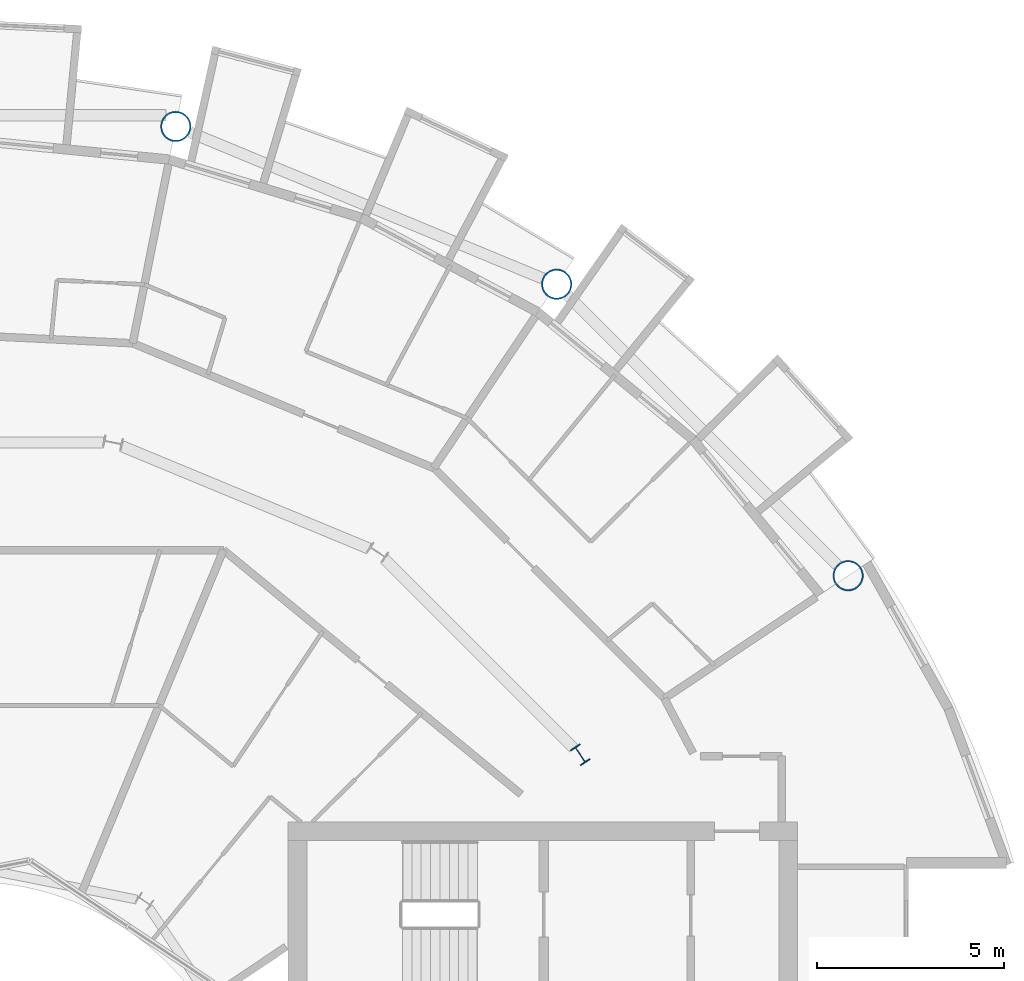
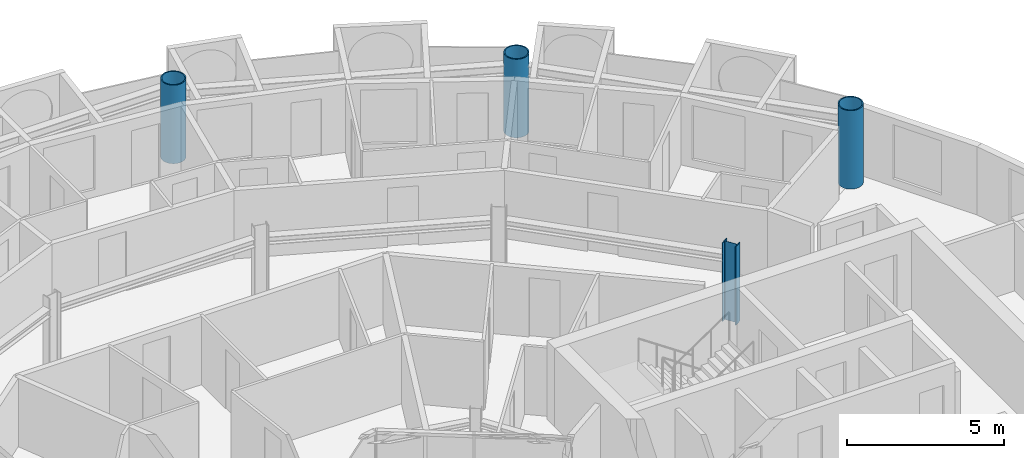
# One storey, part 4 of 26: 4 columns.
"""IFC4 building model written with IfcOpenShell, lengths in metres."""

from ifc_helpers import new_model, si_unit, direction, frame, origin, origin_2d, place, context, subcontext, project, spatial, hollow_circle, i_section, extrude, material, material_profile, profile_set, type_object, element, save


model = new_model("IFC4")

# Units and contexts
model_context = context("Model", 3, precision=1e-05, world=origin(), true_north=direction((0.0, 1.0)))
body_context = subcontext(model_context, "Body", "Model", "MODEL_VIEW")
ifc_project = project(units=[si_unit("LENGTHUNIT", "METRE"), si_unit("AREAUNIT", "SQUARE_METRE"), si_unit("VOLUMEUNIT", "CUBIC_METRE"), si_unit("PLANEANGLEUNIT", "RADIAN"), si_unit("MASSUNIT", "GRAM", prefix="KILO")], contexts=[model_context])

# Site, building, storey
site_placement = place(None, origin())
site = spatial("IfcSite", under=ifc_project, at=site_placement, CompositionType="ELEMENT")
building_placement = place(site_placement, origin())
building = spatial("IfcBuilding", under=site, at=building_placement, Name="Maasbend Ring Residences", CompositionType="ELEMENT")
storey_placement = place(building_placement, frame((0.0, 0.0, 176.85009765625)))
storey = spatial("IfcBuildingStorey", under=building, at=storey_placement, Name="L51", CompositionType="ELEMENT", Elevation=176.85009765625)

# Columns
ifc_material_1 = material(Name="Composite concrete-filled steel tube S460NH / C80/95", Category="concrete")
ifc_material_profile_1 = material_profile(ifc_material_1, hollow_circle(Radius=0.406494140625, WallThickness=0.0400390625, at=origin_2d()), Name="Composite tube column CHS 813x40")
ifc_profile_set_1 = profile_set([ifc_material_profile_1], Name="Composite concrete-filled steel tube S460NH / C80/95")
column_type_1 = type_object("IfcColumnType", Name="Composite tube column CHS 813x40", PredefinedType="COLUMN", material=ifc_profile_set_1)
for number, where, z_axis, x_axis, name in (
    (1, (23.447509765625, 15.6669921875, 0.0), (0.0, 0.0, 1.0), (1.0, 0.0, 0.0), "Outer column R2"),
    (2, (15.6669921875, 23.447509765625, 0.0), (0.0, 0.0, 1.0), (1.0, 0.0, 0.0), "Outer column R3"),
    (3, (5.50146484375, 27.658203125, 0.0), (0.0, 0.0, 1.0), (1.0, 0.0, 0.0), "Outer column R4"),
):
    element("IfcColumn", number, at=place(storey_placement, frame(where, z_axis=z_axis, x_axis=x_axis)), inside=storey, type_object=column_type_1, Name=name, PredefinedType="COLUMN", context=body_context, shape_type="SweptSolid", body=[
        extrude(hollow_circle(Radius=0.406494140625, WallThickness=0.0400390625, at=origin_2d()), origin(), (0.0, 0.0, 1.0), 3.0498046875),
    ])
ifc_material_2 = material(Name="Steel S355J2", Category="steel")
ifc_material_profile_2 = material_profile(ifc_material_2, i_section(OverallWidth=0.300048828125, OverallDepth=0.5, WebThickness=0.014404296875, FlangeThickness=0.028076171875, FilletRadius=0.027099609375, at=origin_2d()), Name="HEB 500")
ifc_profile_set_2 = profile_set([ifc_material_profile_2], Name="Steel S355J2")
column_type_2 = type_object("IfcColumnType", Name="Steel column HEB 500", PredefinedType="COLUMN", material=ifc_profile_set_2)
column_placement = place(storey_placement, frame((16.296875, 10.88916015625, 0.0), z_axis=(0.0, 0.0, 1.0), x_axis=(0.831469612303, 0.55557023302, 0.0)))
element("IfcColumn", 4, at=column_placement, inside=storey, type_object=column_type_2, Name="Corridor ring column R2", PredefinedType="COLUMN", context=body_context, shape_type="SweptSolid", body=[
    extrude(i_section(OverallWidth=0.300048828125, OverallDepth=0.5, WebThickness=0.014404296875, FlangeThickness=0.028076171875, FilletRadius=0.027099609375, at=origin_2d()), origin(), (0.0, 0.0, 1.0), 3.0498046875),
])

save(model, "model.ifc")
